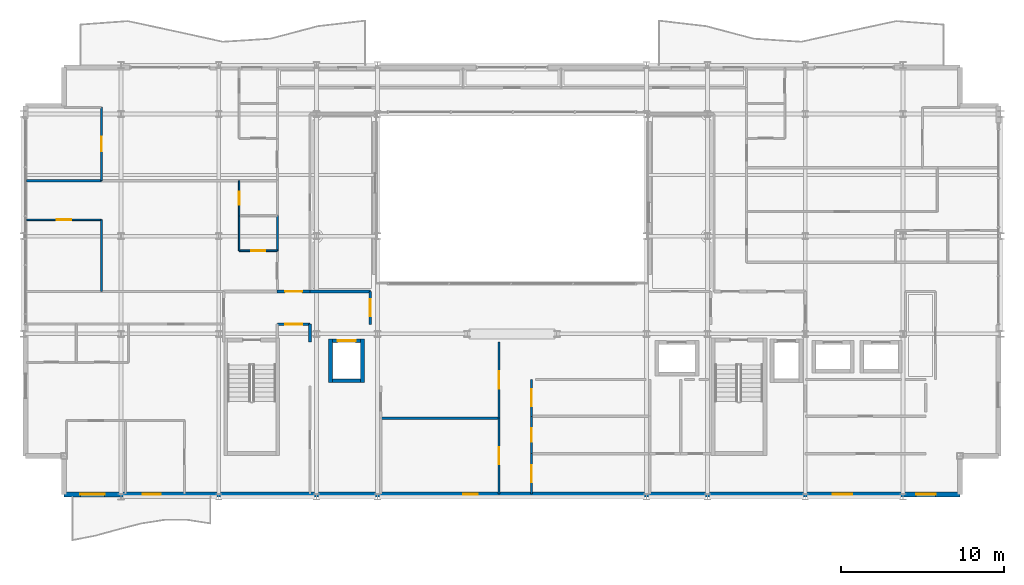
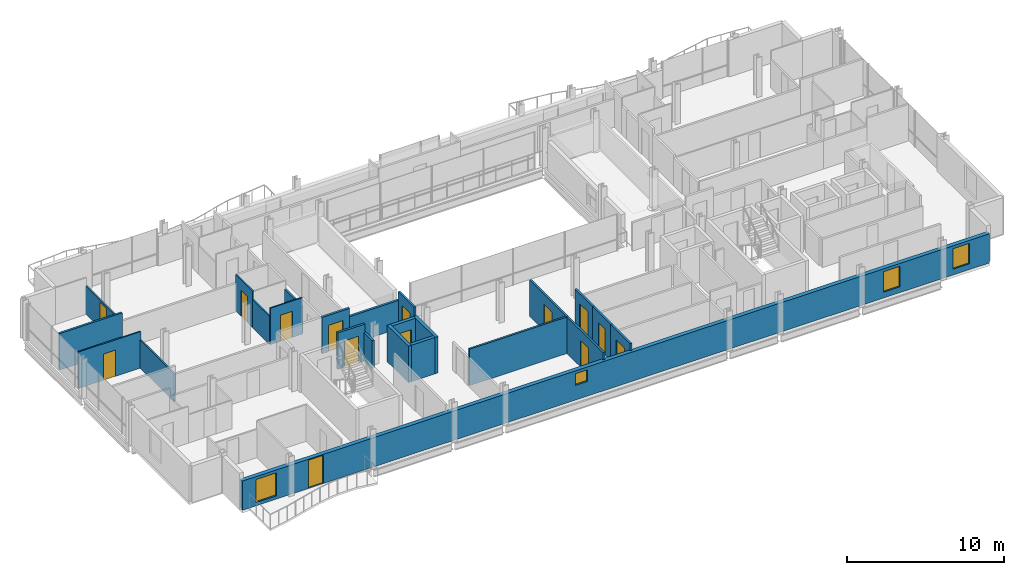
# One storey, part 29 of 36: 24 walls, 14 doors, 4 windows, 18 openings.
"""IFC4 building model written with IfcOpenShell, lengths in metres."""

from ifc_helpers import new_model, si_unit, direction, frame, frame_2d, origin, place, context, subcontext, project, spatial, rectangle, extrude, material, layer, layer_set, type_object, element, fill, save


model = new_model("IFC4")

# Units and contexts
model_context = context("Model", 3, precision=1e-05, world=origin(), true_north=direction((0.0, 1.0)))
body_context = subcontext(model_context, "Body", "Model", "MODEL_VIEW")
ifc_project = project(units=[si_unit("LENGTHUNIT", "METRE"), si_unit("AREAUNIT", "SQUARE_METRE"), si_unit("VOLUMEUNIT", "CUBIC_METRE"), si_unit("PLANEANGLEUNIT", "RADIAN"), si_unit("MASSUNIT", "GRAM", prefix="KILO")], contexts=[model_context])

# Site, building, storey
site_placement = place(None, origin())
site = spatial("IfcSite", under=ifc_project, at=site_placement, CompositionType="ELEMENT")
building_placement = place(site_placement, origin())
building = spatial("IfcBuilding", under=site, at=building_placement, Name="Brevholm Reach", CompositionType="ELEMENT")
storey_placement = place(building_placement, frame((0.0, 0.0, 175.89990234375)))
storey = spatial("IfcBuildingStorey", under=building, at=storey_placement, Name="L53", CompositionType="ELEMENT", Elevation=175.89990234375)

# Walls
ifc_material_1 = material(Name="Concrete C45/55", Category="concrete")
ifc_layer_1 = layer(ifc_material_1, 0.239990234375)
ifc_layer_set_1 = layer_set([ifc_layer_1], Name="Concrete C45/55")
wall_type_1 = type_object("IfcWallType", Name="WAL-COR-240", PredefinedType="SHEAR", material=ifc_layer_set_1)
for number, where, z_axis, x_axis, name in (
    (1, (18.8701171875, 7.0, 0.0), (0.0, 0.0, 1.0), (0.0, 1.0, 0.0), "L53 Lift FFL-1 Shaft Wall W"),
    (2, (20.830078125, 7.0, 0.0), (0.0, 0.0, 1.0), (0.0, 1.0, 0.0), "L53 Lift FFL-1 Shaft Wall E"),
):
    element("IfcWall", number, at=place(storey_placement, frame(where, z_axis=z_axis, x_axis=x_axis)), inside=storey, type_object=wall_type_1, Name=name, PredefinedType="SHEAR", context=body_context, shape_type="SweptSolid", body=[
        extrude(rectangle(XDim=2.699951171875, YDim=0.239990234375, at=frame_2d((1.35009765625, 0.0))), origin(), (0.0, 0.0, 1.0), 2.840087890625),
    ])
wall_1_placement = place(storey_placement, frame((18.989990234375, 7.1201171875, 0.0), z_axis=(0.0, 0.0, 1.0), x_axis=(1.0, 0.0, 0.0)))
element("IfcWall", 3, at=wall_1_placement, inside=storey, type_object=wall_type_1, Name="L53 Lift FFL-1 Shaft Wall S", PredefinedType="SHEAR", context=body_context, shape_type="SweptSolid", body=[
    extrude(rectangle(XDim=1.719970703125, YDim=0.239990234375, at=frame_2d((0.85986328125, 0.0))), origin(), (0.0, 0.0, 1.0), 2.840087890625),
])

# Wall, opening, door
wall_2_placement = place(storey_placement, frame((18.989990234375, 9.580078125, 0.0), z_axis=(0.0, 0.0, 1.0), x_axis=(1.0, 0.0, 0.0)))
wall_2 = element("IfcWall", 4, at=wall_2_placement, inside=storey, type_object=wall_type_1, Name="L53 Lift FFL-1 Shaft Wall N", PredefinedType="SHEAR", context=body_context, shape_type="SweptSolid", body=[
    extrude(rectangle(XDim=1.719970703125, YDim=0.239990234375, at=frame_2d((0.85986328125, 0.0))), origin(), (0.0, 0.0, 1.0), 2.840087890625),
])
opening_1_placement = place(wall_2_placement, frame((0.31005859375, 0.0, 0.0)))
opening_1 = element("IfcOpeningElement", 5, at=opening_1_placement, cuts=wall_2, Name="Opening LD-FFL-1", PredefinedType="OPENING", context=body_context, shape_type="SweptSolid", body=[
    extrude(rectangle(XDim=1.10009765625, YDim=2.06005859375, at=frame_2d((0.550048828125, 1.030029296875))), frame((0.0, 0.1298828125, 0.0), z_axis=(0.0, -1.0, 0.0), x_axis=(1.0, 0.0, 0.0)), (0.0, 0.0, 1.0), 0.260009765625),
])
ifc_material_2 = material(Name="Brushed Stainless Steel Fire-Rated Sliding Lift Door", Category="steel")
door_type_1 = type_object("IfcDoorType", Name="DOR-LFT-1100", OperationType="NOTDEFINED", PredefinedType="DOOR", material=ifc_material_2)
door_1_placement = place(opening_1_placement, origin())
door_1 = element("IfcDoor", 6, at=door_1_placement, inside=storey, type_object=door_type_1, Name="L53 Lift FFL-1 Sliding Landing Door", OperationType="SLIDING_TO_LEFT", OverallHeight=2.06005859375, OverallWidth=1.10009765625, PredefinedType="DOOR", context=body_context, shape_type="SweptSolid", body=[
    extrude(rectangle(XDim=1.10009765625, YDim=2.06005859375, at=frame_2d((0.550048828125, 1.030029296875))), frame((0.0, 0.02490234375, 0.0), z_axis=(0.0, -1.0, 0.0), x_axis=(1.0, 0.0, 0.0)), (0.0, 0.0, 1.0), 0.050048828125),
])
fill(opening_1, door_1)

# Wall, openings, door, windows
ifc_material_3 = material(Name="Concrete C40/50", Category="concrete")
ifc_layer_2 = layer(ifc_material_3, 0.300048828125)
ifc_layer_set_2 = layer_set([ifc_layer_2], Name="Concrete C40/50")
wall_type_2 = type_object("IfcWallType", Name="WAL-EXT-300", PredefinedType="STANDARD", material=ifc_layer_set_2)
wall_3_placement = place(storey_placement, frame((2.5, 0.14990234375, 0.0), z_axis=(0.0, 0.0, 1.0), x_axis=(1.0, 0.0, 0.0)))
wall_3 = element("IfcWall", 7, at=wall_3_placement, inside=storey, type_object=wall_type_2, Name="L53 Facade Wall WAL-L53-S", PredefinedType="STANDARD", context=body_context, shape_type="SweptSolid", body=[
    extrude(rectangle(XDim=55.0, YDim=0.300048828125, at=frame_2d((27.5, 0.0))), origin(), (0.0, 0.0, 1.0), 2.275634765625),
])
opening_2_placement = place(wall_3_placement, frame((4.85009765625, 0.0, 0.0)))
opening_2 = element("IfcOpeningElement", 8, at=opening_2_placement, cuts=wall_3, Name="Opening BD-01", PredefinedType="OPENING", context=body_context, shape_type="SweptSolid", body=[
    extrude(rectangle(XDim=1.10009765625, YDim=2.199951171875, at=frame_2d((0.550048828125, 1.10009765625))), frame((0.0, 0.159912109375, 0.0), z_axis=(0.0, -1.0, 0.0), x_axis=(1.0, 0.0, 0.0)), (0.0, 0.0, 1.0), 0.320068359375),
])
opening_3_placement = place(wall_3_placement, frame((1.0, 0.0, 0.2548828125)))
opening_3 = element("IfcOpeningElement", 9, at=opening_3_placement, cuts=wall_3, Name="Opening WN-05", PredefinedType="OPENING", context=body_context, shape_type="SweptSolid", body=[
    extrude(rectangle(XDim=1.5, YDim=1.800048828125, at=frame_2d((0.75, 0.89990234375))), frame((0.0, 0.159912109375, 0.0), z_axis=(0.0, -1.0, 0.0), x_axis=(1.0, 0.0, 0.0)), (0.0, 0.0, 1.0), 0.320068359375),
])
opening_4_placement = place(wall_3_placement, frame((24.5, 0.0, 1.14990234375)))
opening_4 = element("IfcOpeningElement", 10, at=opening_4_placement, cuts=wall_3, Name="Opening WN-09", PredefinedType="OPENING", context=body_context, shape_type="SweptSolid", body=[
    extrude(rectangle(XDim=0.89990234375, YDim=0.89990234375, at=frame_2d((0.449951171875, 0.449951171875))), frame((0.0, 0.159912109375, 0.0), z_axis=(0.0, -1.0, 0.0), x_axis=(1.0, 0.0, 0.0)), (0.0, 0.0, 1.0), 0.320068359375),
])
opening_5_placement = place(wall_3_placement, frame((47.199951171875, 0.0, 0.455078125)))
opening_5 = element("IfcOpeningElement", 11, at=opening_5_placement, cuts=wall_3, Name="Opening WN-08", PredefinedType="OPENING", context=body_context, shape_type="SweptSolid", body=[
    extrude(rectangle(XDim=1.199951171875, YDim=1.60009765625, at=frame_2d((0.60009765625, 0.800048828125))), frame((0.0, 0.159912109375, 0.0), z_axis=(0.0, -1.0, 0.0), x_axis=(1.0, 0.0, 0.0)), (0.0, 0.0, 1.0), 0.320068359375),
])
opening_6_placement = place(wall_3_placement, frame((52.300048828125, 0.0, 0.455078125)))
opening_6 = element("IfcOpeningElement", 12, at=opening_6_placement, cuts=wall_3, Name="Opening WN-08", PredefinedType="OPENING", context=body_context, shape_type="SweptSolid", body=[
    extrude(rectangle(XDim=1.199951171875, YDim=1.60009765625, at=frame_2d((0.60009765625, 0.800048828125))), frame((0.0, 0.159912109375, 0.0), z_axis=(0.0, -1.0, 0.0), x_axis=(1.0, 0.0, 0.0)), (0.0, 0.0, 1.0), 0.320068359375),
])
ifc_material_4 = material(Name="Dark Anodised Aluminium and Triple-Glazed Glass", Category="aluminium")
door_type_2 = type_object("IfcDoorType", Name="DOR-BALC-1100", OperationType="NOTDEFINED", PredefinedType="DOOR", material=ifc_material_4)
door_2_placement = place(opening_2_placement, origin())
door_2 = element("IfcDoor", 13, at=door_2_placement, inside=storey, type_object=door_type_2, Name="L53 Exterior Door DOR-L53-BL-SW", OperationType="SINGLE_SWING_LEFT", OverallHeight=2.199951171875, OverallWidth=1.10009765625, PredefinedType="DOOR", context=body_context, shape_type="SweptSolid", body=[
    extrude(rectangle(XDim=1.10009765625, YDim=2.199951171875, at=frame_2d((0.550048828125, 1.10009765625))), frame((0.0, 0.02490234375, 0.0), z_axis=(0.0, -1.0, 0.0), x_axis=(1.0, 0.0, 0.0)), (0.0, 0.0, 1.0), 0.050048828125),
])
fill(opening_2, door_2)
ifc_material_5 = material(Name="Dark Anodised Aluminium and Solar-Control IGU Glass", Category="aluminium")
window_type_1 = type_object("IfcWindowType", Name="WIN-POR-0900", PartitioningType="SINGLE_PANEL", PredefinedType="WINDOW", material=ifc_material_5)
window_1_placement = place(opening_4_placement, origin())
window_1 = element("IfcWindow", 14, at=window_1_placement, inside=storey, type_object=window_type_1, Name="L53 Window WIN-L53-S-POR", OverallHeight=0.89990234375, OverallWidth=0.89990234375, PartitioningType="SINGLE_PANEL", PredefinedType="WINDOW", context=body_context, shape_type="SweptSolid", body=[
    extrude(rectangle(XDim=0.89990234375, YDim=0.89990234375, at=frame_2d((0.449951171875, 0.449951171875))), frame((0.0, 0.030029296875, 0.0), z_axis=(0.0, -1.0, 0.0), x_axis=(1.0, 0.0, 0.0)), (0.0, 0.0, 1.0), 0.06005859375),
])
fill(opening_4, window_1)
ifc_material_6 = material(Name="Dark Anodised Aluminium and Solar-Control IGU Glass", Category="aluminium")
window_type_2 = type_object("IfcWindowType", Name="WIN-RES-1200", PartitioningType="SINGLE_PANEL", PredefinedType="WINDOW", material=ifc_material_6)
window_2_placement = place(opening_5_placement, origin())
window_2 = element("IfcWindow", 15, at=window_2_placement, inside=storey, type_object=window_type_2, Name="L53 Window WIN-L53-S-E1", OverallHeight=1.60009765625, OverallWidth=1.199951171875, PartitioningType="SINGLE_PANEL", PredefinedType="WINDOW", context=body_context, shape_type="SweptSolid", body=[
    extrude(rectangle(XDim=1.199951171875, YDim=1.60009765625, at=frame_2d((0.60009765625, 0.800048828125))), frame((0.0, 0.030029296875, 0.0), z_axis=(0.0, -1.0, 0.0), x_axis=(1.0, 0.0, 0.0)), (0.0, 0.0, 1.0), 0.06005859375),
])
fill(opening_5, window_2)
window_3_placement = place(opening_6_placement, origin())
window_3 = element("IfcWindow", 16, at=window_3_placement, inside=storey, type_object=window_type_2, Name="L53 Window WIN-L53-S-E2", OverallHeight=1.60009765625, OverallWidth=1.199951171875, PartitioningType="SINGLE_PANEL", PredefinedType="WINDOW", context=body_context, shape_type="SweptSolid", body=[
    extrude(rectangle(XDim=1.199951171875, YDim=1.60009765625, at=frame_2d((0.60009765625, 0.800048828125))), frame((0.0, 0.030029296875, 0.0), z_axis=(0.0, -1.0, 0.0), x_axis=(1.0, 0.0, 0.0)), (0.0, 0.0, 1.0), 0.06005859375),
])
fill(opening_6, window_3)
ifc_material_7 = material(Name="Dark Anodised Aluminium and Solar-Control IGU Glass", Category="aluminium")
window_type_3 = type_object("IfcWindowType", Name="WIN-RES-1500", PartitioningType="SINGLE_PANEL", PredefinedType="WINDOW", material=ifc_material_7)
window_4_placement = place(opening_3_placement, origin())
window_4 = element("IfcWindow", 17, at=window_4_placement, inside=storey, type_object=window_type_3, Name="L53 Window WIN-L53-S-W1", OverallHeight=1.800048828125, OverallWidth=1.5, PartitioningType="SINGLE_PANEL", PredefinedType="WINDOW", context=body_context, shape_type="SweptSolid", body=[
    extrude(rectangle(XDim=1.5, YDim=1.800048828125, at=frame_2d((0.75, 0.89990234375))), frame((0.0, 0.030029296875, 0.0), z_axis=(0.0, -1.0, 0.0), x_axis=(1.0, 0.0, 0.0)), (0.0, 0.0, 1.0), 0.06005859375),
])
fill(opening_3, window_4)

# Wall, opening, door
ifc_material_8 = material(Name="Moisture-Resistant Acoustic Gypsum Stud Partition 100 mm", Category="gypsum")
ifc_layer_3 = layer(ifc_material_8, 0.10009765625)
ifc_layer_set_3 = layer_set([ifc_layer_3], Name="Moisture-Resistant Acoustic Gypsum Stud Partition 100 mm")
wall_type_3 = type_object("IfcWallType", Name="WAL-PRT-100", PredefinedType="PARTITIONING", material=ifc_layer_set_3)
wall_4_placement = place(storey_placement, frame((13.25, 17.25, 0.0), z_axis=(0.0, 0.0, 1.0), x_axis=(0.0, 1.0, 0.0)))
wall_4 = element("IfcWall", 18, at=wall_4_placement, inside=storey, type_object=wall_type_3, Name="L53 Internal Partition 067", PredefinedType="PARTITIONING", context=body_context, shape_type="SweptSolid", body=[
    extrude(rectangle(XDim=2.14990234375, YDim=0.10009765625, at=frame_2d((1.074951171875, 0.0))), origin(), (0.0, 0.0, 1.0), 2.840087890625),
])
opening_7_placement = place(wall_4_placement, frame((0.6650390625, 0.0, 0.0)))
opening_7 = element("IfcOpeningElement", 19, at=opening_7_placement, cuts=wall_4, Name="Opening ID-03", PredefinedType="OPENING", context=body_context, shape_type="SweptSolid", body=[
    extrude(rectangle(XDim=0.820068359375, YDim=2.02001953125, at=frame_2d((0.41015625, 1.010009765625))), frame((0.0, 0.06005859375, 0.0), z_axis=(0.0, -1.0, 0.0), x_axis=(1.0, 0.0, 0.0)), (0.0, 0.0, 1.0), 0.1201171875),
])
ifc_material_9 = material(Name="Moisture-Resistant Painted Timber Internal Bathroom Door", Category="wood")
door_type_3 = type_object("IfcDoorType", Name="DOR-BATH-820", OperationType="NOTDEFINED", PredefinedType="DOOR", material=ifc_material_9)
door_3_placement = place(opening_7_placement, origin())
door_3 = element("IfcDoor", 20, at=door_3_placement, inside=storey, type_object=door_type_3, Name="L53 Internal Door 031", OperationType="SINGLE_SWING_LEFT", OverallHeight=2.02001953125, OverallWidth=0.820068359375, PredefinedType="DOOR", context=body_context, shape_type="SweptSolid", body=[
    extrude(rectangle(XDim=0.820068359375, YDim=2.02001953125, at=frame_2d((0.41015625, 1.010009765625))), frame((0.0, 0.02490234375, 0.0), z_axis=(0.0, -1.0, 0.0), x_axis=(1.0, 0.0, 0.0)), (0.0, 0.0, 1.0), 0.050048828125),
])
fill(opening_7, door_3)

wall_5_placement = place(storey_placement, frame((13.25, 15.10009765625, 0.0), z_axis=(0.0, 0.0, 1.0), x_axis=(1.0, 0.0, 0.0)))
wall_5 = element("IfcWall", 21, at=wall_5_placement, inside=storey, type_object=wall_type_3, Name="L53 Internal Partition 069", PredefinedType="PARTITIONING", context=body_context, shape_type="SweptSolid", body=[
    extrude(rectangle(XDim=2.345947265625, YDim=0.10009765625, at=frame_2d((1.1728515625, 0.0))), origin(), (0.0, 0.0, 1.0), 2.840087890625),
])
opening_8_placement = place(wall_5_placement, frame((0.73291015625, 0.0, 0.0)))
opening_8 = element("IfcOpeningElement", 22, at=opening_8_placement, cuts=wall_5, Name="Opening ID-01", PredefinedType="OPENING", context=body_context, shape_type="SweptSolid", body=[
    extrude(rectangle(XDim=0.8798828125, YDim=2.0400390625, at=frame_2d((0.43994140625, 1.02001953125))), frame((0.0, 0.06005859375, 0.0), z_axis=(0.0, -1.0, 0.0), x_axis=(1.0, 0.0, 0.0)), (0.0, 0.0, 1.0), 0.1201171875),
])
ifc_material_10 = material(Name="Lacquered Ash Solid-Core Acoustic Internal Door", Category="timber")
door_type_4 = type_object("IfcDoorType", Name="DOR-INT-880", OperationType="NOTDEFINED", PredefinedType="DOOR", material=ifc_material_10)
door_4_placement = place(opening_8_placement, origin())
door_4 = element("IfcDoor", 23, at=door_4_placement, inside=storey, type_object=door_type_4, Name="L53 Internal Door 032", OperationType="SINGLE_SWING_RIGHT", OverallHeight=2.0400390625, OverallWidth=0.8798828125, PredefinedType="DOOR", context=body_context, shape_type="SweptSolid", body=[
    extrude(rectangle(XDim=0.8798828125, YDim=2.0400390625, at=frame_2d((0.43994140625, 1.02001953125))), frame((0.0, 0.02490234375, 0.0), z_axis=(0.0, -1.0, 0.0), x_axis=(1.0, 0.0, 0.0)), (0.0, 0.0, 1.0), 0.050048828125),
])
fill(opening_8, door_4)

# Walls
wall_6_placement = place(storey_placement, frame((13.25, 15.10009765625, 0.0), z_axis=(0.0, 0.0, 1.0), x_axis=(0.0, 1.0, 0.0)))
element("IfcWall", 24, at=wall_6_placement, inside=storey, type_object=wall_type_3, Name="L53 Internal Partition 070", PredefinedType="PARTITIONING", context=body_context, shape_type="SweptSolid", body=[
    extrude(rectangle(XDim=2.14599609375, YDim=0.10009765625, at=frame_2d((1.072998046875, 0.0))), origin(), (0.0, 0.0, 1.0), 2.19482421875),
])
wall_7_placement = place(storey_placement, frame((4.800048828125, 12.60400390625, 0.0), z_axis=(0.0, 0.0, 1.0), x_axis=(0.0, 1.0, 0.0)))
element("IfcWall", 25, at=wall_7_placement, inside=storey, type_object=wall_type_3, Name="L53 Internal Partition 071", PredefinedType="PARTITIONING", context=body_context, shape_type="SweptSolid", body=[
    extrude(rectangle(XDim=4.39599609375, YDim=0.10009765625, at=frame_2d((2.197998046875, 0.0))), origin(), (0.0, 0.0, 1.0), 2.19482421875),
])

# Wall, opening, door
wall_8_placement = place(storey_placement, frame((0.199951171875, 17.0, 0.0), z_axis=(0.0, 0.0, 1.0), x_axis=(1.0, 0.0, 0.0)))
wall_8 = element("IfcWall", 26, at=wall_8_placement, inside=storey, type_object=wall_type_3, Name="L53 Internal Partition 072", PredefinedType="PARTITIONING", context=body_context, shape_type="SweptSolid", body=[
    extrude(rectangle(XDim=4.60009765625, YDim=0.10009765625, at=frame_2d((2.300048828125, 0.0))), origin(), (0.0, 0.0, 1.0), 2.840087890625),
])
opening_9_placement = place(wall_8_placement, frame((1.860107421875, 0.0, 0.0)))
opening_9 = element("IfcOpeningElement", 27, at=opening_9_placement, cuts=wall_8, Name="Opening ID-01", PredefinedType="OPENING", context=body_context, shape_type="SweptSolid", body=[
    extrude(rectangle(XDim=0.8798828125, YDim=2.0400390625, at=frame_2d((0.43994140625, 1.02001953125))), frame((0.0, 0.06005859375, 0.0), z_axis=(0.0, -1.0, 0.0), x_axis=(1.0, 0.0, 0.0)), (0.0, 0.0, 1.0), 0.1201171875),
])
door_5_placement = place(opening_9_placement, origin())
door_5 = element("IfcDoor", 28, at=door_5_placement, inside=storey, type_object=door_type_4, Name="L53 Internal Door 033", OperationType="SINGLE_SWING_LEFT", OverallHeight=2.0400390625, OverallWidth=0.8798828125, PredefinedType="DOOR", context=body_context, shape_type="SweptSolid", body=[
    extrude(rectangle(XDim=0.8798828125, YDim=2.0400390625, at=frame_2d((0.43994140625, 1.02001953125))), frame((0.0, 0.02490234375, 0.0), z_axis=(0.0, -1.0, 0.0), x_axis=(1.0, 0.0, 0.0)), (0.0, 0.0, 1.0), 0.050048828125),
])
fill(opening_9, door_5)

wall_9_placement = place(storey_placement, frame((4.800048828125, 19.404052734375, 0.0), z_axis=(0.0, 0.0, 1.0), x_axis=(0.0, 1.0, 0.0)))
wall_9 = element("IfcWall", 29, at=wall_9_placement, inside=storey, type_object=wall_type_3, Name="L53 Internal Partition 083", PredefinedType="PARTITIONING", context=body_context, shape_type="SweptSolid", body=[
    extrude(rectangle(XDim=4.495849609375, YDim=0.10009765625, at=frame_2d((2.248046875, 0.0))), origin(), (0.0, 0.0, 1.0), 2.19482421875),
])
opening_10_placement = place(wall_9_placement, frame((1.80810546875, 0.0, 0.0)))
opening_10 = element("IfcOpeningElement", 30, at=opening_10_placement, cuts=wall_9, Name="Opening ID-01", PredefinedType="OPENING", context=body_context, shape_type="SweptSolid", body=[
    extrude(rectangle(XDim=0.8798828125, YDim=2.0400390625, at=frame_2d((0.43994140625, 1.02001953125))), frame((0.0, 0.06005859375, 0.0), z_axis=(0.0, -1.0, 0.0), x_axis=(1.0, 0.0, 0.0)), (0.0, 0.0, 1.0), 0.1201171875),
])
door_6_placement = place(opening_10_placement, origin())
door_6 = element("IfcDoor", 31, at=door_6_placement, inside=storey, type_object=door_type_4, Name="L53 Internal Door 036", OperationType="SINGLE_SWING_RIGHT", OverallHeight=2.0400390625, OverallWidth=0.8798828125, PredefinedType="DOOR", context=body_context, shape_type="SweptSolid", body=[
    extrude(rectangle(XDim=0.8798828125, YDim=2.0400390625, at=frame_2d((0.43994140625, 1.02001953125))), frame((0.0, 0.02490234375, 0.0), z_axis=(0.0, -1.0, 0.0), x_axis=(1.0, 0.0, 0.0)), (0.0, 0.0, 1.0), 0.050048828125),
])
fill(opening_10, door_6)

ifc_material_11 = material(Name="Twin-Stud Acoustic Fire-Rated Gypsum Partition 140 mm", Category="gypsum")
ifc_layer_4 = layer(ifc_material_11, 0.139892578125)
ifc_layer_set_4 = layer_set([ifc_layer_4], Name="Twin-Stud Acoustic Fire-Rated Gypsum Partition 140 mm")
wall_type_4 = type_object("IfcWallType", Name="WAL-PRT-140", PredefinedType="PARTITIONING", material=ifc_layer_set_4)
wall_10_placement = place(storey_placement, frame((29.199951171875, 0.179931640625, 0.0), z_axis=(0.0, 0.0, 1.0), x_axis=(0.0, 1.0, 0.0)))
wall_10 = element("IfcWall", 32, at=wall_10_placement, inside=storey, type_object=wall_type_4, Name="L53 Internal Partition 001", PredefinedType="PARTITIONING", context=body_context, shape_type="SweptSolid", body=[
    extrude(rectangle(XDim=4.658447265625, YDim=0.139892578125, at=frame_2d((2.3291015625, 0.0))), origin(), (0.0, 0.0, 1.0), 2.840087890625),
])
opening_11_placement = place(wall_10_placement, frame((1.80419921875, 0.0, 0.0)))
opening_11 = element("IfcOpeningElement", 33, at=opening_11_placement, cuts=wall_10, Name="Opening FD-01", PredefinedType="OPENING", context=body_context, shape_type="SweptSolid", body=[
    extrude(rectangle(XDim=1.050048828125, YDim=2.06005859375, at=frame_2d((0.52490234375, 1.030029296875))), frame((0.0, 0.079833984375, 0.0), z_axis=(0.0, -1.0, 0.0), x_axis=(1.0, 0.0, 0.0)), (0.0, 0.0, 1.0), 0.159912109375),
])
ifc_material_12 = material(Name="Hardwood-Lipped Steel-Core Fire and Smoke Door", Category="steel")
door_type_5 = type_object("IfcDoorType", Name="DOR-INT-FD60S", OperationType="NOTDEFINED", PredefinedType="DOOR", material=ifc_material_12)
door_7_placement = place(opening_11_placement, origin())
door_7 = element("IfcDoor", 34, at=door_7_placement, inside=storey, type_object=door_type_5, Name="L53 Internal Door 001", OperationType="SINGLE_SWING_LEFT", OverallHeight=2.06005859375, OverallWidth=1.050048828125, PredefinedType="DOOR", context=body_context, shape_type="SweptSolid", body=[
    extrude(rectangle(XDim=1.050048828125, YDim=2.06005859375, at=frame_2d((0.52490234375, 1.030029296875))), frame((0.0, 0.02490234375, 0.0), z_axis=(0.0, -1.0, 0.0), x_axis=(1.0, 0.0, 0.0)), (0.0, 0.0, 1.0), 0.050048828125),
])
fill(opening_11, door_7)

wall_11_placement = place(storey_placement, frame((29.199951171875, 4.819580078125, 0.0), z_axis=(0.0, 0.0, 1.0), x_axis=(0.0, 1.0, 0.0)))
wall_11 = element("IfcWall", 35, at=wall_11_placement, inside=storey, type_object=wall_type_4, Name="L53 Internal Partition 002", PredefinedType="PARTITIONING", context=body_context, shape_type="SweptSolid", body=[
    extrude(rectangle(XDim=4.691650390625, YDim=0.139892578125, at=frame_2d((2.345703125, 0.0))), origin(), (0.0, 0.0, 1.0), 2.840087890625),
])
opening_12_placement = place(wall_11_placement, frame((1.82080078125, 0.0, 0.0)))
opening_12 = element("IfcOpeningElement", 36, at=opening_12_placement, cuts=wall_11, Name="Opening FD-01", PredefinedType="OPENING", context=body_context, shape_type="SweptSolid", body=[
    extrude(rectangle(XDim=1.050048828125, YDim=2.06005859375, at=frame_2d((0.52490234375, 1.030029296875))), frame((0.0, 0.079833984375, 0.0), z_axis=(0.0, -1.0, 0.0), x_axis=(1.0, 0.0, 0.0)), (0.0, 0.0, 1.0), 0.159912109375),
])
door_8_placement = place(opening_12_placement, origin())
door_8 = element("IfcDoor", 37, at=door_8_placement, inside=storey, type_object=door_type_5, Name="L53 Internal Door 002", OperationType="SINGLE_SWING_RIGHT", OverallHeight=2.06005859375, OverallWidth=1.050048828125, PredefinedType="DOOR", context=body_context, shape_type="SweptSolid", body=[
    extrude(rectangle(XDim=1.050048828125, YDim=2.06005859375, at=frame_2d((0.52490234375, 1.030029296875))), frame((0.0, 0.02490234375, 0.0), z_axis=(0.0, -1.0, 0.0), x_axis=(1.0, 0.0, 0.0)), (0.0, 0.0, 1.0), 0.050048828125),
])
fill(opening_12, door_8)

wall_12_placement = place(storey_placement, frame((31.199951171875, 0.179931640625, 0.0), z_axis=(0.0, 0.0, 1.0), x_axis=(0.0, 1.0, 0.0)))
wall_12 = element("IfcWall", 38, at=wall_12_placement, inside=storey, type_object=wall_type_4, Name="L53 Internal Partition 003", PredefinedType="PARTITIONING", context=body_context, shape_type="SweptSolid", body=[
    extrude(rectangle(XDim=2.4814453125, YDim=0.139892578125, at=frame_2d((1.24072265625, 0.0))), origin(), (0.0, 0.0, 1.0), 2.840087890625),
])
opening_13_placement = place(wall_12_placement, frame((0.7158203125, 0.0, 0.0)))
opening_13 = element("IfcOpeningElement", 39, at=opening_13_placement, cuts=wall_12, Name="Opening FD-01", PredefinedType="OPENING", context=body_context, shape_type="SweptSolid", body=[
    extrude(rectangle(XDim=1.050048828125, YDim=2.06005859375, at=frame_2d((0.52490234375, 1.030029296875))), frame((0.0, 0.079833984375, 0.0), z_axis=(0.0, -1.0, 0.0), x_axis=(1.0, 0.0, 0.0)), (0.0, 0.0, 1.0), 0.159912109375),
])
door_9_placement = place(opening_13_placement, origin())
door_9 = element("IfcDoor", 40, at=door_9_placement, inside=storey, type_object=door_type_5, Name="L53 Internal Door 003", OperationType="SINGLE_SWING_LEFT", OverallHeight=2.06005859375, OverallWidth=1.050048828125, PredefinedType="DOOR", context=body_context, shape_type="SweptSolid", body=[
    extrude(rectangle(XDim=1.050048828125, YDim=2.06005859375, at=frame_2d((0.52490234375, 1.030029296875))), frame((0.0, 0.02490234375, 0.0), z_axis=(0.0, -1.0, 0.0), x_axis=(1.0, 0.0, 0.0)), (0.0, 0.0, 1.0), 0.050048828125),
])
fill(opening_13, door_9)

wall_13_placement = place(storey_placement, frame((31.199951171875, 2.642578125, 0.0), z_axis=(0.0, 0.0, 1.0), x_axis=(0.0, 1.0, 0.0)))
wall_13 = element("IfcWall", 41, at=wall_13_placement, inside=storey, type_object=wall_type_4, Name="L53 Internal Partition 004", PredefinedType="PARTITIONING", context=body_context, shape_type="SweptSolid", body=[
    extrude(rectangle(XDim=2.318603515625, YDim=0.139892578125, at=frame_2d((1.1591796875, 0.0))), origin(), (0.0, 0.0, 1.0), 2.840087890625),
])
opening_14_placement = place(wall_13_placement, frame((0.749267578125, 0.0, 0.0)))
opening_14 = element("IfcOpeningElement", 42, at=opening_14_placement, cuts=wall_13, Name="Opening ID-02", PredefinedType="OPENING", context=body_context, shape_type="SweptSolid", body=[
    extrude(rectangle(XDim=0.820068359375, YDim=2.02001953125, at=frame_2d((0.41015625, 1.010009765625))), frame((0.0, 0.079833984375, 0.0), z_axis=(0.0, -1.0, 0.0), x_axis=(1.0, 0.0, 0.0)), (0.0, 0.0, 1.0), 0.159912109375),
])
ifc_material_13 = material(Name="Moisture-Resistant Painted Timber Fire-Rated Riser and Service Door", Category="wood")
door_type_6 = type_object("IfcDoorType", Name="DOR-SRV-820", OperationType="NOTDEFINED", PredefinedType="DOOR", material=ifc_material_13)
door_10_placement = place(opening_14_placement, origin())
door_10 = element("IfcDoor", 43, at=door_10_placement, inside=storey, type_object=door_type_6, Name="L53 Internal Door 004", OperationType="SINGLE_SWING_RIGHT", OverallHeight=2.02001953125, OverallWidth=0.820068359375, PredefinedType="DOOR", context=body_context, shape_type="SweptSolid", body=[
    extrude(rectangle(XDim=0.820068359375, YDim=2.02001953125, at=frame_2d((0.41015625, 1.010009765625))), frame((0.0, 0.02490234375, 0.0), z_axis=(0.0, -1.0, 0.0), x_axis=(1.0, 0.0, 0.0)), (0.0, 0.0, 1.0), 0.050048828125),
])
fill(opening_14, door_10)

wall_14_placement = place(storey_placement, frame((31.199951171875, 4.942626953125, 0.0), z_axis=(0.0, 0.0, 1.0), x_axis=(0.0, 1.0, 0.0)))
wall_14 = element("IfcWall", 44, at=wall_14_placement, inside=storey, type_object=wall_type_4, Name="L53 Internal Partition 005", PredefinedType="PARTITIONING", context=body_context, shape_type="SweptSolid", body=[
    extrude(rectangle(XDim=2.2685546875, YDim=0.139892578125, at=frame_2d((1.13427734375, 0.0))), origin(), (0.0, 0.0, 1.0), 2.840087890625),
])
opening_15_placement = place(wall_14_placement, frame((0.609375, 0.0, 0.0)))
opening_15 = element("IfcOpeningElement", 45, at=opening_15_placement, cuts=wall_14, Name="Opening FD-01", PredefinedType="OPENING", context=body_context, shape_type="SweptSolid", body=[
    extrude(rectangle(XDim=1.050048828125, YDim=2.06005859375, at=frame_2d((0.52490234375, 1.030029296875))), frame((0.0, 0.079833984375, 0.0), z_axis=(0.0, -1.0, 0.0), x_axis=(1.0, 0.0, 0.0)), (0.0, 0.0, 1.0), 0.159912109375),
])
door_11_placement = place(opening_15_placement, origin())
door_11 = element("IfcDoor", 46, at=door_11_placement, inside=storey, type_object=door_type_5, Name="L53 Internal Door 005", OperationType="SINGLE_SWING_LEFT", OverallHeight=2.06005859375, OverallWidth=1.050048828125, PredefinedType="DOOR", context=body_context, shape_type="SweptSolid", body=[
    extrude(rectangle(XDim=1.050048828125, YDim=2.06005859375, at=frame_2d((0.52490234375, 1.030029296875))), frame((0.0, 0.02490234375, 0.0), z_axis=(0.0, -1.0, 0.0), x_axis=(1.0, 0.0, 0.0)), (0.0, 0.0, 1.0), 0.050048828125),
])
fill(opening_15, door_11)

# Walls
wall_15_placement = place(storey_placement, frame((21.949951171875, 4.826904296875, 0.0), z_axis=(0.0, 0.0, 1.0), x_axis=(1.0, 0.0, 0.0)))
element("IfcWall", 47, at=wall_15_placement, inside=storey, type_object=wall_type_4, Name="L53 Internal Partition 006", PredefinedType="PARTITIONING", context=body_context, shape_type="SweptSolid", body=[
    extrude(rectangle(XDim=7.24609375, YDim=0.139892578125, at=frame_2d((3.623046875, 0.0))), origin(), (0.0, 0.0, 1.0), 2.840087890625),
])
wall_16_placement = place(storey_placement, frame((15.60009765625, 15.088623046875, 0.0), z_axis=(0.0, 0.0, 1.0), x_axis=(0.0, 1.0, 0.0)))
element("IfcWall", 48, at=wall_16_placement, inside=storey, type_object=wall_type_4, Name="L53 Internal Partition 039", PredefinedType="PARTITIONING", context=body_context, shape_type="SweptSolid", body=[
    extrude(rectangle(XDim=2.168701171875, YDim=0.139892578125, at=frame_2d((1.08447265625, 0.0))), origin(), (0.0, 0.0, 1.0), 2.19482421875),
])
wall_17_placement = place(storey_placement, frame((0.199951171875, 19.39990234375, 0.0), z_axis=(0.0, 0.0, 1.0), x_axis=(1.0, 0.0, 0.0)))
element("IfcWall", 49, at=wall_17_placement, inside=storey, type_object=wall_type_4, Name="L53 Internal Partition 073", PredefinedType="PARTITIONING", context=body_context, shape_type="SweptSolid", body=[
    extrude(rectangle(XDim=4.611328125, YDim=0.139892578125, at=frame_2d((2.3056640625, 0.0))), origin(), (0.0, 0.0, 1.0), 2.840087890625),
])
ifc_material_14 = material(Name="Twin-Frame Fire-Rated Gypsum Board and Mineral Wool 160 mm", Category="gypsum")
ifc_layer_5 = layer(ifc_material_14, 0.159912109375)
ifc_layer_set_5 = layer_set([ifc_layer_5], Name="Twin-Frame Fire-Rated Gypsum Board and Mineral Wool 160 mm")
wall_type_5 = type_object("IfcWallType", Name="WAL-PRT-160", PredefinedType="PARTITIONING", material=ifc_layer_set_5)
wall_18_placement = place(storey_placement, frame((17.60009765625, 9.48876953125, 0.0), z_axis=(0.0, 0.0, 1.0), x_axis=(0.0, 1.0, 0.0)))
element("IfcWall", 50, at=wall_18_placement, inside=storey, type_object=wall_type_5, Name="L53 Internal Partition 020", PredefinedType="PARTITIONING", context=body_context, shape_type="SweptSolid", body=[
    extrude(rectangle(XDim=1.111328125, YDim=0.159912109375, at=frame_2d((0.5556640625, 0.0))), origin(), (0.0, 0.0, 1.0), 2.19482421875),
])

# Wall, opening, door
wall_19_placement = place(storey_placement, frame((15.60009765625, 10.60009765625, 0.0), z_axis=(0.0, 0.0, 1.0), x_axis=(1.0, 0.0, 0.0)))
wall_19 = element("IfcWall", 51, at=wall_19_placement, inside=storey, type_object=wall_type_5, Name="L53 Internal Partition 021", PredefinedType="PARTITIONING", context=body_context, shape_type="SweptSolid", body=[
    extrude(rectangle(XDim=2.0, YDim=0.159912109375, at=frame_2d((1.0, 0.0))), origin(), (0.0, 0.0, 1.0), 2.840087890625),
])
opening_16_placement = place(wall_19_placement, frame((0.47509765625, 0.0, 0.0)))
opening_16 = element("IfcOpeningElement", 52, at=opening_16_placement, cuts=wall_19, Name="Opening FD-01", PredefinedType="OPENING", context=body_context, shape_type="SweptSolid", body=[
    extrude(rectangle(XDim=1.050048828125, YDim=2.06005859375, at=frame_2d((0.52490234375, 1.030029296875))), frame((0.0, 0.08984375, 0.0), z_axis=(0.0, -1.0, 0.0), x_axis=(1.0, 0.0, 0.0)), (0.0, 0.0, 1.0), 0.179931640625),
])
door_12_placement = place(opening_16_placement, origin())
door_12 = element("IfcDoor", 53, at=door_12_placement, inside=storey, type_object=door_type_5, Name="L53 Internal Door 012", OperationType="SINGLE_SWING_RIGHT", OverallHeight=2.06005859375, OverallWidth=1.050048828125, PredefinedType="DOOR", context=body_context, shape_type="SweptSolid", body=[
    extrude(rectangle(XDim=1.050048828125, YDim=2.06005859375, at=frame_2d((0.52490234375, 1.030029296875))), frame((0.0, 0.02490234375, 0.0), z_axis=(0.0, -1.0, 0.0), x_axis=(1.0, 0.0, 0.0)), (0.0, 0.0, 1.0), 0.050048828125),
])
fill(opening_16, door_12)

wall_20_placement = place(storey_placement, frame((21.300048828125, 10.588623046875, 0.0), z_axis=(0.0, 0.0, 1.0), x_axis=(0.0, 1.0, 0.0)))
wall_20 = element("IfcWall", 54, at=wall_20_placement, inside=storey, type_object=wall_type_5, Name="L53 Internal Partition 025", PredefinedType="PARTITIONING", context=body_context, shape_type="SweptSolid", body=[
    extrude(rectangle(XDim=2.011474609375, YDim=0.159912109375, at=frame_2d((1.005859375, 0.0))), origin(), (0.0, 0.0, 1.0), 2.840087890625),
])
opening_17_placement = place(wall_20_placement, frame((0.480712890625, 0.0, 0.0)))
opening_17 = element("IfcOpeningElement", 55, at=opening_17_placement, cuts=wall_20, Name="Opening FD-01", PredefinedType="OPENING", context=body_context, shape_type="SweptSolid", body=[
    extrude(rectangle(XDim=1.050048828125, YDim=2.06005859375, at=frame_2d((0.52490234375, 1.030029296875))), frame((0.0, 0.08984375, 0.0), z_axis=(0.0, -1.0, 0.0), x_axis=(1.0, 0.0, 0.0)), (0.0, 0.0, 1.0), 0.179931640625),
])
door_13_placement = place(opening_17_placement, origin())
door_13 = element("IfcDoor", 56, at=door_13_placement, inside=storey, type_object=door_type_5, Name="L53 Internal Door 013", OperationType="SINGLE_SWING_LEFT", OverallHeight=2.06005859375, OverallWidth=1.050048828125, PredefinedType="DOOR", context=body_context, shape_type="SweptSolid", body=[
    extrude(rectangle(XDim=1.050048828125, YDim=2.06005859375, at=frame_2d((0.52490234375, 1.030029296875))), frame((0.0, 0.02490234375, 0.0), z_axis=(0.0, -1.0, 0.0), x_axis=(1.0, 0.0, 0.0)), (0.0, 0.0, 1.0), 0.050048828125),
])
fill(opening_17, door_13)

wall_21_placement = place(storey_placement, frame((15.588623046875, 12.60009765625, 0.0), z_axis=(0.0, 0.0, 1.0), x_axis=(1.0, 0.0, 0.0)))
wall_21 = element("IfcWall", 57, at=wall_21_placement, inside=storey, type_object=wall_type_5, Name="L53 Internal Partition 026", PredefinedType="PARTITIONING", context=body_context, shape_type="SweptSolid", body=[
    extrude(rectangle(XDim=2.022705078125, YDim=0.159912109375, at=frame_2d((1.01123046875, 0.0))), origin(), (0.0, 0.0, 1.0), 2.840087890625),
])
opening_18_placement = place(wall_21_placement, frame((0.486328125, 0.0, 0.0)))
opening_18 = element("IfcOpeningElement", 58, at=opening_18_placement, cuts=wall_21, Name="Opening FD-01", PredefinedType="OPENING", context=body_context, shape_type="SweptSolid", body=[
    extrude(rectangle(XDim=1.050048828125, YDim=2.06005859375, at=frame_2d((0.52490234375, 1.030029296875))), frame((0.0, 0.08984375, 0.0), z_axis=(0.0, -1.0, 0.0), x_axis=(1.0, 0.0, 0.0)), (0.0, 0.0, 1.0), 0.179931640625),
])
door_14_placement = place(opening_18_placement, origin())
door_14 = element("IfcDoor", 59, at=door_14_placement, inside=storey, type_object=door_type_5, Name="L53 Internal Door 014", OperationType="SINGLE_SWING_RIGHT", OverallHeight=2.06005859375, OverallWidth=1.050048828125, PredefinedType="DOOR", context=body_context, shape_type="SweptSolid", body=[
    extrude(rectangle(XDim=1.050048828125, YDim=2.06005859375, at=frame_2d((0.52490234375, 1.030029296875))), frame((0.0, 0.02490234375, 0.0), z_axis=(0.0, -1.0, 0.0), x_axis=(1.0, 0.0, 0.0)), (0.0, 0.0, 1.0), 0.050048828125),
])
fill(opening_18, door_14)

# Wall
wall_22_placement = place(storey_placement, frame((17.5927734375, 12.60009765625, 0.0), z_axis=(0.0, 0.0, 1.0), x_axis=(1.0, 0.0, 0.0)))
element("IfcWall", 60, at=wall_22_placement, inside=storey, type_object=wall_type_5, Name="L53 Internal Partition 030", PredefinedType="PARTITIONING", context=body_context, shape_type="SweptSolid", body=[
    extrude(rectangle(XDim=3.707275390625, YDim=0.159912109375, at=frame_2d((1.853515625, 0.0))), origin(), (0.0, 0.0, 1.0), 2.19482421875),
])

save(model, "model.ifc")
